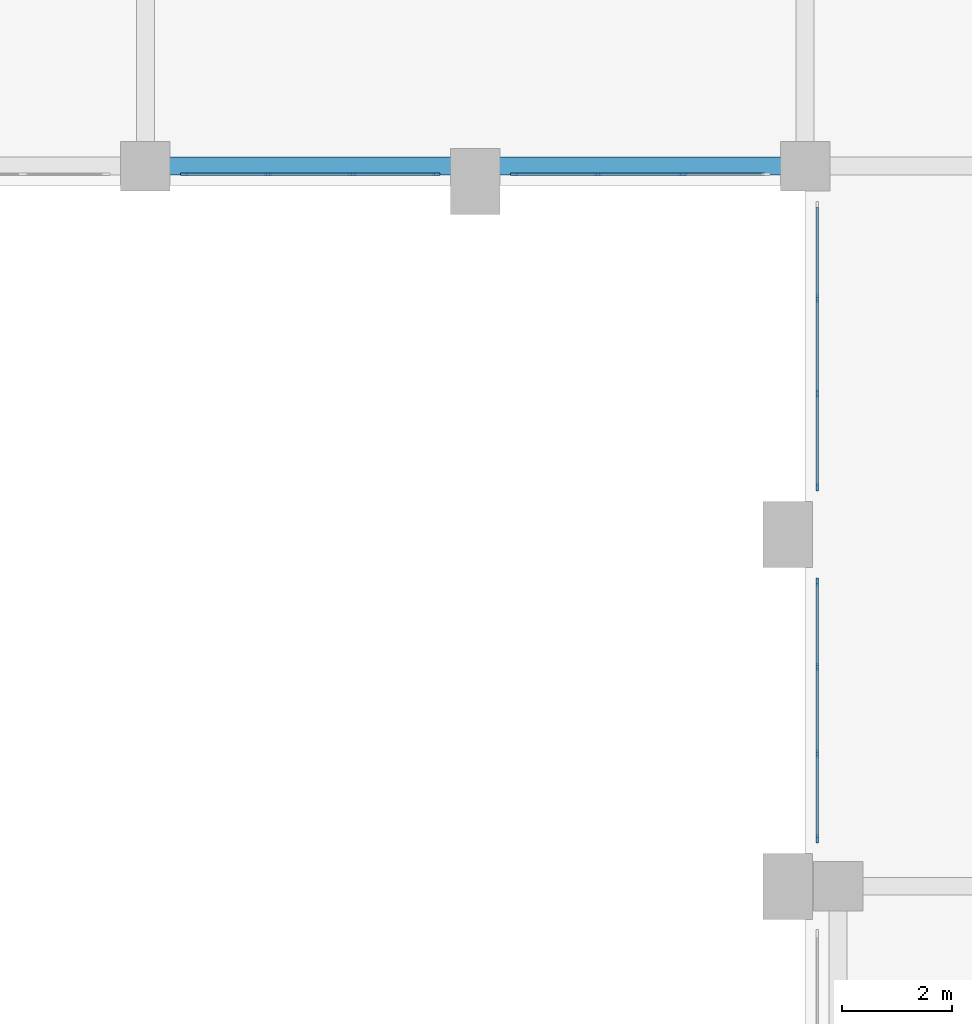
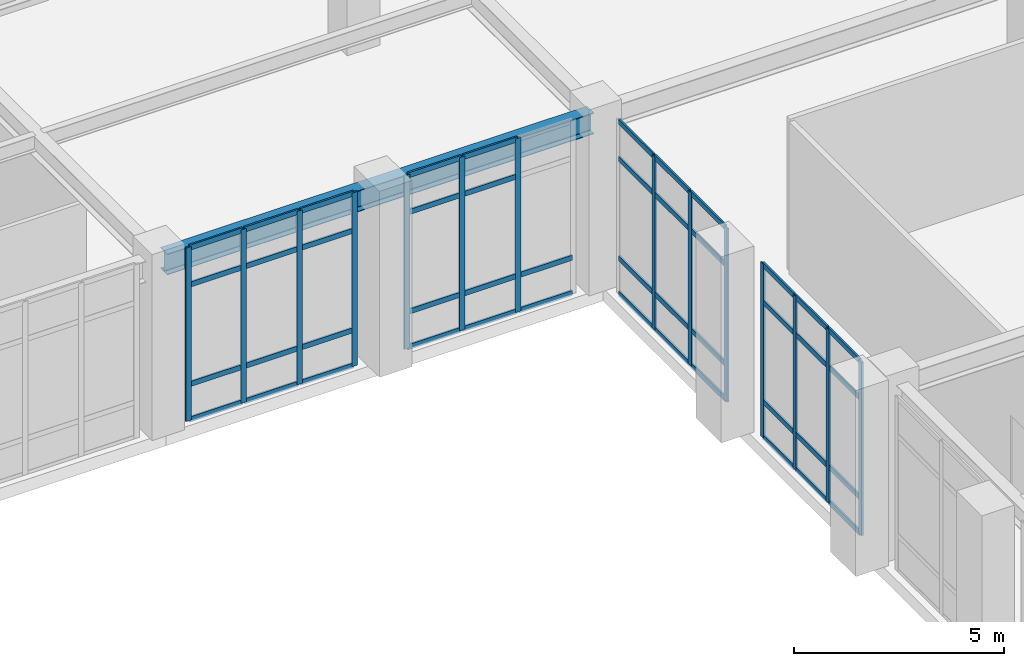
# One storey, part 81 of 159: 60 members, 1 beam, 4 elements without a shape of their own.
"""IFC4 building model written with IfcOpenShell, lengths in metres."""

from ifc_helpers import new_model, si_unit, derived_unit, direction, frame, origin, origin_2d, place, context, subcontext, project, spatial, rectangle, i_section, extrude, material, layer, layer_set, material_profile, profile_set, type_object, element, aggregate, save


model = new_model("IFC4")

# Units and contexts
model_context = context("Model", 3, precision=1e-05, world=origin(), true_north=direction((0.0, 1.0)))
body_context = subcontext(model_context, "Body", "Model", "MODEL_VIEW")
ifc_project = project(units=[si_unit("LENGTHUNIT", "METRE"), si_unit("AREAUNIT", "SQUARE_METRE"), si_unit("VOLUMEUNIT", "CUBIC_METRE"), si_unit("PLANEANGLEUNIT", "RADIAN"), si_unit("MASSUNIT", "GRAM", prefix="KILO"), derived_unit("THERMALTRANSMITTANCEUNIT", [(si_unit("MASSUNIT", "GRAM", prefix="KILO"), 1), (si_unit("TIMEUNIT", "SECOND"), -3), (si_unit("THERMODYNAMICTEMPERATUREUNIT", "KELVIN"), -1)])], contexts=[model_context])

# Site, building, storey
site_placement = place(None, origin())
site = spatial("IfcSite", under=ifc_project, at=site_placement, CompositionType="ELEMENT")
building_placement = place(site_placement, origin())
building = spatial("IfcBuilding", under=site, at=building_placement, Name="Valcora Ridge Arena", CompositionType="ELEMENT")
storey_placement = place(building_placement, frame((0.0, 0.0, 6.0)))
storey = spatial("IfcBuildingStorey", under=building, at=storey_placement, Name="L01", CompositionType="ELEMENT", Elevation=6.0)

# Beam
ifc_material_1 = material(Name="Steel ASTM A572 Grade 50", Category="steel")
ifc_material_profile_1 = material_profile(ifc_material_1, i_section(OverallWidth=0.324951171875, OverallDepth=0.612060546875, WebThickness=0.0126953125, FlangeThickness=0.01904296875, FilletRadius=0.01806640625, at=origin_2d()), Name="W24X104")
ifc_profile_set_1 = profile_set([ifc_material_profile_1], Name="Steel ASTM A572 Grade 50")
beam_type = type_object("IfcBeamType", Name="TY-BEAM-G-W24X104-X", PredefinedType="BEAM", material=ifc_profile_set_1)
beam_placement = place(storey_placement, frame((144.139892578125, 108.699951171875, 4.73388671875), z_axis=(1.0, 0.0, 0.0), x_axis=(0.0, 1.0, 0.0)))
element("IfcBeam", 1, at=beam_placement, inside=storey, type_object=beam_type, Name="G-W24X104-X BEM-G-W24X104-X-0045", PredefinedType="BEAM", context=body_context, shape_type="SweptSolid", body=[
    extrude(i_section(OverallWidth=0.324951171875, OverallDepth=0.612060546875, WebThickness=0.0126953125, FlangeThickness=0.01904296875, FilletRadius=0.01806640625, at=origin_2d()), origin(), (0.0, 0.0, 1.0), 11.72021484375),
])

# Curtain wall, members
ifc_material_2 = material(Name="Anodised dark bronze architectural aluminium 6063-T6", Category="aluminium")
ifc_layer_1 = layer(ifc_material_2, 0.14990234375, Name="Anodised dark bronze architectural aluminium 6063-T6")
ifc_layer_set_1 = layer_set([ifc_layer_1], Name="Anodised dark bronze architectural aluminium 6063-T6")
curtain_wall_type_1 = type_object("IfcCurtainWallType", Name="TY-CURTAINWALL-CW-V5-MED-046X50", PredefinedType="NOTDEFINED", material=ifc_layer_set_1)
curtain_wall_1_placement = place(storey_placement, origin())
curtain_wall_1 = element("IfcCurtainWall", 2, at=curtain_wall_1_placement, inside=storey, type_object=curtain_wall_type_1, Name="CW-V5-MED-046X50 CW-0320", PredefinedType="NOTDEFINED")
ifc_material_profile_2 = material_profile(ifc_material_2, rectangle(XDim=0.050048828125, YDim=0.14990234375, at=origin_2d()), Name="ALU MULLION 50x150")
ifc_profile_set_2 = profile_set([ifc_material_profile_2], Name="Anodised dark bronze architectural aluminium 6063-T6")
member_type_1 = type_object("IfcMemberType", Name="TY-MEM-CWM-50x150", PredefinedType="MULLION", material=ifc_profile_set_2)
member_1_placement = place(storey_placement, frame((144.715087890625, 108.550048828125, 0.0), z_axis=(0.0, 0.0, 1.0), x_axis=(0.0, 1.0, 0.0)))
member_1 = element("IfcMember", 3, at=member_1_placement, type_object=member_type_1, Name="CW-0320/CWM-50x150/M00", PredefinedType="MULLION", context=body_context, shape_type="SweptSolid", body=[
    extrude(rectangle(XDim=0.050048828125, YDim=0.14990234375, at=origin_2d()), origin(), (0.0, 0.0, 1.0), 5.0400390625),
])
member_2_placement = place(storey_placement, frame((146.22998046875, 108.550048828125, 0.0), z_axis=(0.0, 0.0, 1.0), x_axis=(0.0, 1.0, 0.0)))
member_2 = element("IfcMember", 4, at=member_2_placement, type_object=member_type_1, Name="CW-0320/CWM-50x150/M01", PredefinedType="MULLION", context=body_context, shape_type="SweptSolid", body=[
    extrude(rectangle(XDim=0.050048828125, YDim=0.14990234375, at=origin_2d()), origin(), (0.0, 0.0, 1.0), 5.0400390625),
])
member_3_placement = place(storey_placement, frame((147.77001953125, 108.550048828125, 0.0), z_axis=(0.0, 0.0, 1.0), x_axis=(0.0, 1.0, 0.0)))
member_3 = element("IfcMember", 5, at=member_3_placement, type_object=member_type_1, Name="CW-0320/CWM-50x150/M02", PredefinedType="MULLION", context=body_context, shape_type="SweptSolid", body=[
    extrude(rectangle(XDim=0.050048828125, YDim=0.14990234375, at=origin_2d()), origin(), (0.0, 0.0, 1.0), 5.0400390625),
])
member_4_placement = place(storey_placement, frame((149.284912109375, 108.550048828125, 0.0), z_axis=(0.0, 0.0, 1.0), x_axis=(0.0, 1.0, 0.0)))
member_4 = element("IfcMember", 6, at=member_4_placement, type_object=member_type_1, Name="CW-0320/CWM-50x150/M03", PredefinedType="MULLION", context=body_context, shape_type="SweptSolid", body=[
    extrude(rectangle(XDim=0.050048828125, YDim=0.14990234375, at=origin_2d()), origin(), (0.0, 0.0, 1.0), 5.0400390625),
])

curtain_wall_2_placement = place(storey_placement, origin())
curtain_wall_2 = element("IfcCurtainWall", 7, at=curtain_wall_2_placement, inside=storey, type_object=curtain_wall_type_1, Name="CW-V5-MED-046X50 CW-0321", PredefinedType="NOTDEFINED")
member_5_placement = place(storey_placement, frame((150.715087890625, 108.550048828125, 0.0), z_axis=(0.0, 0.0, 1.0), x_axis=(0.0, 1.0, 0.0)))
member_5 = element("IfcMember", 8, at=member_5_placement, type_object=member_type_1, Name="CW-0321/CWM-50x150/M00", PredefinedType="MULLION", context=body_context, shape_type="SweptSolid", body=[
    extrude(rectangle(XDim=0.050048828125, YDim=0.14990234375, at=origin_2d()), origin(), (0.0, 0.0, 1.0), 5.0400390625),
])
member_6_placement = place(storey_placement, frame((152.22998046875, 108.550048828125, 0.0), z_axis=(0.0, 0.0, 1.0), x_axis=(0.0, 1.0, 0.0)))
member_6 = element("IfcMember", 9, at=member_6_placement, type_object=member_type_1, Name="CW-0321/CWM-50x150/M01", PredefinedType="MULLION", context=body_context, shape_type="SweptSolid", body=[
    extrude(rectangle(XDim=0.050048828125, YDim=0.14990234375, at=origin_2d()), origin(), (0.0, 0.0, 1.0), 5.0400390625),
])
member_7_placement = place(storey_placement, frame((153.77001953125, 108.550048828125, 0.0), z_axis=(0.0, 0.0, 1.0), x_axis=(0.0, 1.0, 0.0)))
member_7 = element("IfcMember", 10, at=member_7_placement, type_object=member_type_1, Name="CW-0321/CWM-50x150/M02", PredefinedType="MULLION", context=body_context, shape_type="SweptSolid", body=[
    extrude(rectangle(XDim=0.050048828125, YDim=0.14990234375, at=origin_2d()), origin(), (0.0, 0.0, 1.0), 5.0400390625),
])

ifc_layer_2 = layer(ifc_material_2, 0.14990234375, Name="Anodised dark bronze architectural aluminium 6063-T6")
ifc_layer_set_2 = layer_set([ifc_layer_2], Name="Anodised dark bronze architectural aluminium 6063-T6")
curtain_wall_type_2 = type_object("IfcCurtainWallType", Name="TY-CURTAINWALL-CW-V5-MED-047X50", PredefinedType="NOTDEFINED", material=ifc_layer_set_2)
curtain_wall_3_placement = place(storey_placement, origin())
curtain_wall_3 = element("IfcCurtainWall", 11, at=curtain_wall_3_placement, inside=storey, type_object=curtain_wall_type_2, Name="CW-V5-MED-047X50 CW-0324", PredefinedType="NOTDEFINED")
member_8_placement = place(storey_placement, frame((156.219970703125, 96.465087890625, 0.0), z_axis=(0.0, 0.0, 1.0), x_axis=(-1.0, 0.0, 0.0)))
member_8 = element("IfcMember", 12, at=member_8_placement, type_object=member_type_1, Name="CW-0324/CWM-50x150/M00", PredefinedType="MULLION", context=body_context, shape_type="SweptSolid", body=[
    extrude(rectangle(XDim=0.050048828125, YDim=0.14990234375, at=origin_2d()), origin(), (0.0, 0.0, 1.0), 5.0400390625),
])
member_9_placement = place(storey_placement, frame((156.219970703125, 98.01318359375, 0.0), z_axis=(0.0, 0.0, 1.0), x_axis=(-1.0, 0.0, 0.0)))
member_9 = element("IfcMember", 13, at=member_9_placement, type_object=member_type_1, Name="CW-0324/CWM-50x150/M01", PredefinedType="MULLION", context=body_context, shape_type="SweptSolid", body=[
    extrude(rectangle(XDim=0.050048828125, YDim=0.14990234375, at=origin_2d()), origin(), (0.0, 0.0, 1.0), 5.0400390625),
])
member_10_placement = place(storey_placement, frame((156.219970703125, 99.586669921875, 0.0), z_axis=(0.0, 0.0, 1.0), x_axis=(-1.0, 0.0, 0.0)))
member_10 = element("IfcMember", 14, at=member_10_placement, type_object=member_type_1, Name="CW-0324/CWM-50x150/M02", PredefinedType="MULLION", context=body_context, shape_type="SweptSolid", body=[
    extrude(rectangle(XDim=0.050048828125, YDim=0.14990234375, at=origin_2d()), origin(), (0.0, 0.0, 1.0), 5.0400390625),
])
member_11_placement = place(storey_placement, frame((156.219970703125, 101.135009765625, 0.0), z_axis=(0.0, 0.0, 1.0), x_axis=(-1.0, 0.0, 0.0)))
member_11 = element("IfcMember", 15, at=member_11_placement, type_object=member_type_1, Name="CW-0324/CWM-50x150/M03", PredefinedType="MULLION", context=body_context, shape_type="SweptSolid", body=[
    extrude(rectangle(XDim=0.050048828125, YDim=0.14990234375, at=origin_2d()), origin(), (0.0, 0.0, 1.0), 5.0400390625),
])

ifc_layer_3 = layer(ifc_material_2, 0.14990234375, Name="Anodised dark bronze architectural aluminium 6063-T6")
ifc_layer_set_3 = layer_set([ifc_layer_3], Name="Anodised dark bronze architectural aluminium 6063-T6")
curtain_wall_type_3 = type_object("IfcCurtainWallType", Name="TY-CURTAINWALL-CW-V5-MED-052X50", PredefinedType="NOTDEFINED", material=ifc_layer_set_3)
curtain_wall_4_placement = place(storey_placement, origin())
curtain_wall_4 = element("IfcCurtainWall", 16, at=curtain_wall_4_placement, inside=storey, type_object=curtain_wall_type_3, Name="CW-V5-MED-052X50 CW-0325", PredefinedType="NOTDEFINED")
member_12_placement = place(storey_placement, frame((156.219970703125, 102.864990234375, 0.0), z_axis=(0.0, 0.0, 1.0), x_axis=(-1.0, 0.0, 0.0)))
member_12 = element("IfcMember", 17, at=member_12_placement, type_object=member_type_1, Name="CW-0325/CWM-50x150/M00", PredefinedType="MULLION", context=body_context, shape_type="SweptSolid", body=[
    extrude(rectangle(XDim=0.050048828125, YDim=0.14990234375, at=origin_2d()), origin(), (0.0, 0.0, 1.0), 5.0400390625),
])
member_13_placement = place(storey_placement, frame((156.219970703125, 104.563232421875, 0.0), z_axis=(0.0, 0.0, 1.0), x_axis=(-1.0, 0.0, 0.0)))
member_13 = element("IfcMember", 18, at=member_13_placement, type_object=member_type_1, Name="CW-0325/CWM-50x150/M01", PredefinedType="MULLION", context=body_context, shape_type="SweptSolid", body=[
    extrude(rectangle(XDim=0.050048828125, YDim=0.14990234375, at=origin_2d()), origin(), (0.0, 0.0, 1.0), 5.0400390625),
])
member_14_placement = place(storey_placement, frame((156.219970703125, 106.28662109375, 0.0), z_axis=(0.0, 0.0, 1.0), x_axis=(-1.0, 0.0, 0.0)))
member_14 = element("IfcMember", 19, at=member_14_placement, type_object=member_type_1, Name="CW-0325/CWM-50x150/M02", PredefinedType="MULLION", context=body_context, shape_type="SweptSolid", body=[
    extrude(rectangle(XDim=0.050048828125, YDim=0.14990234375, at=origin_2d()), origin(), (0.0, 0.0, 1.0), 5.0400390625),
])

# Member
ifc_material_profile_3 = material_profile(ifc_material_2, rectangle(XDim=0.050048828125, YDim=0.14990234375, at=origin_2d()), Name="ALU TRANSOM 50x150")
ifc_profile_set_3 = profile_set([ifc_material_profile_3], Name="Anodised dark bronze architectural aluminium 6063-T6")
member_type_2 = type_object("IfcMemberType", Name="TY-MEM-CWT-50x150", PredefinedType="USERDEFINED", material=ifc_profile_set_3)
member_15_placement = place(storey_placement, frame((144.739990234375, 108.550048828125, 0.02490234375), z_axis=(1.0, 0.0, 0.0), x_axis=(0.0, 1.0, 0.0)))
member_15 = element("IfcMember", 20, at=member_15_placement, type_object=member_type_2, Name="CW-0320/CWT-50x150/T00-00", ObjectType="TRANSOM", PredefinedType="USERDEFINED", context=body_context, shape_type="SweptSolid", body=[
    extrude(rectangle(XDim=0.050048828125, YDim=0.14990234375, at=origin_2d()), origin(), (0.0, 0.0, 1.0), 1.465087890625),
])

member_16_placement = place(storey_placement, frame((144.739990234375, 108.550048828125, 1.050048828125), z_axis=(1.0, 0.0, 0.0), x_axis=(0.0, 1.0, 0.0)))
member_16 = element("IfcMember", 21, at=member_16_placement, type_object=member_type_2, Name="CW-0320/CWT-50x150/T00-01", ObjectType="TRANSOM", PredefinedType="USERDEFINED", context=body_context, shape_type="SweptSolid", body=[
    extrude(rectangle(XDim=0.050048828125, YDim=0.14990234375, at=origin_2d()), origin(), (0.0, 0.0, 1.0), 1.465087890625),
])

member_17_placement = place(storey_placement, frame((144.739990234375, 108.550048828125, 3.93994140625), z_axis=(1.0, 0.0, 0.0), x_axis=(0.0, 1.0, 0.0)))
member_17 = element("IfcMember", 22, at=member_17_placement, type_object=member_type_2, Name="CW-0320/CWT-50x150/T00-02", ObjectType="TRANSOM", PredefinedType="USERDEFINED", context=body_context, shape_type="SweptSolid", body=[
    extrude(rectangle(XDim=0.050048828125, YDim=0.14990234375, at=origin_2d()), origin(), (0.0, 0.0, 1.0), 1.465087890625),
])

member_18_placement = place(storey_placement, frame((144.739990234375, 108.550048828125, 5.014892578125), z_axis=(1.0, 0.0, 0.0), x_axis=(0.0, 1.0, 0.0)))
member_18 = element("IfcMember", 23, at=member_18_placement, type_object=member_type_2, Name="CW-0320/CWT-50x150/T00-03", ObjectType="TRANSOM", PredefinedType="USERDEFINED", context=body_context, shape_type="SweptSolid", body=[
    extrude(rectangle(XDim=0.050048828125, YDim=0.14990234375, at=origin_2d()), origin(), (0.0, 0.0, 1.0), 1.465087890625),
])

member_19_placement = place(storey_placement, frame((146.2548828125, 108.550048828125, 0.02490234375), z_axis=(1.0, 0.0, 0.0), x_axis=(0.0, 1.0, 0.0)))
member_19 = element("IfcMember", 24, at=member_19_placement, type_object=member_type_2, Name="CW-0320/CWT-50x150/T01-00", ObjectType="TRANSOM", PredefinedType="USERDEFINED", context=body_context, shape_type="SweptSolid", body=[
    extrude(rectangle(XDim=0.050048828125, YDim=0.14990234375, at=origin_2d()), origin(), (0.0, 0.0, 1.0), 1.490234375),
])

member_20_placement = place(storey_placement, frame((146.2548828125, 108.550048828125, 1.050048828125), z_axis=(1.0, 0.0, 0.0), x_axis=(0.0, 1.0, 0.0)))
member_20 = element("IfcMember", 25, at=member_20_placement, type_object=member_type_2, Name="CW-0320/CWT-50x150/T01-01", ObjectType="TRANSOM", PredefinedType="USERDEFINED", context=body_context, shape_type="SweptSolid", body=[
    extrude(rectangle(XDim=0.050048828125, YDim=0.14990234375, at=origin_2d()), origin(), (0.0, 0.0, 1.0), 1.490234375),
])

member_21_placement = place(storey_placement, frame((146.2548828125, 108.550048828125, 3.93994140625), z_axis=(1.0, 0.0, 0.0), x_axis=(0.0, 1.0, 0.0)))
member_21 = element("IfcMember", 26, at=member_21_placement, type_object=member_type_2, Name="CW-0320/CWT-50x150/T01-02", ObjectType="TRANSOM", PredefinedType="USERDEFINED", context=body_context, shape_type="SweptSolid", body=[
    extrude(rectangle(XDim=0.050048828125, YDim=0.14990234375, at=origin_2d()), origin(), (0.0, 0.0, 1.0), 1.490234375),
])

member_22_placement = place(storey_placement, frame((146.2548828125, 108.550048828125, 5.014892578125), z_axis=(1.0, 0.0, 0.0), x_axis=(0.0, 1.0, 0.0)))
member_22 = element("IfcMember", 27, at=member_22_placement, type_object=member_type_2, Name="CW-0320/CWT-50x150/T01-03", ObjectType="TRANSOM", PredefinedType="USERDEFINED", context=body_context, shape_type="SweptSolid", body=[
    extrude(rectangle(XDim=0.050048828125, YDim=0.14990234375, at=origin_2d()), origin(), (0.0, 0.0, 1.0), 1.490234375),
])

member_23_placement = place(storey_placement, frame((147.794921875, 108.550048828125, 0.02490234375), z_axis=(1.0, 0.0, 0.0), x_axis=(0.0, 1.0, 0.0)))
member_23 = element("IfcMember", 28, at=member_23_placement, type_object=member_type_2, Name="CW-0320/CWT-50x150/T02-00", ObjectType="TRANSOM", PredefinedType="USERDEFINED", context=body_context, shape_type="SweptSolid", body=[
    extrude(rectangle(XDim=0.050048828125, YDim=0.14990234375, at=origin_2d()), origin(), (0.0, 0.0, 1.0), 1.465087890625),
])

member_24_placement = place(storey_placement, frame((147.794921875, 108.550048828125, 1.050048828125), z_axis=(1.0, 0.0, 0.0), x_axis=(0.0, 1.0, 0.0)))
member_24 = element("IfcMember", 29, at=member_24_placement, type_object=member_type_2, Name="CW-0320/CWT-50x150/T02-01", ObjectType="TRANSOM", PredefinedType="USERDEFINED", context=body_context, shape_type="SweptSolid", body=[
    extrude(rectangle(XDim=0.050048828125, YDim=0.14990234375, at=origin_2d()), origin(), (0.0, 0.0, 1.0), 1.465087890625),
])

member_25_placement = place(storey_placement, frame((147.794921875, 108.550048828125, 3.93994140625), z_axis=(1.0, 0.0, 0.0), x_axis=(0.0, 1.0, 0.0)))
member_25 = element("IfcMember", 30, at=member_25_placement, type_object=member_type_2, Name="CW-0320/CWT-50x150/T02-02", ObjectType="TRANSOM", PredefinedType="USERDEFINED", context=body_context, shape_type="SweptSolid", body=[
    extrude(rectangle(XDim=0.050048828125, YDim=0.14990234375, at=origin_2d()), origin(), (0.0, 0.0, 1.0), 1.465087890625),
])

member_26_placement = place(storey_placement, frame((147.794921875, 108.550048828125, 5.014892578125), z_axis=(1.0, 0.0, 0.0), x_axis=(0.0, 1.0, 0.0)))
member_26 = element("IfcMember", 31, at=member_26_placement, type_object=member_type_2, Name="CW-0320/CWT-50x150/T02-03", ObjectType="TRANSOM", PredefinedType="USERDEFINED", context=body_context, shape_type="SweptSolid", body=[
    extrude(rectangle(XDim=0.050048828125, YDim=0.14990234375, at=origin_2d()), origin(), (0.0, 0.0, 1.0), 1.465087890625),
])

aggregate(curtain_wall_1, [member_1, member_2, member_3, member_4, member_15, member_16, member_17, member_18, member_19, member_20, member_21, member_22, member_23, member_24, member_25, member_26])

member_27_placement = place(storey_placement, frame((150.739990234375, 108.550048828125, 0.02490234375), z_axis=(1.0, 0.0, 0.0), x_axis=(0.0, 1.0, 0.0)))
member_27 = element("IfcMember", 32, at=member_27_placement, type_object=member_type_2, Name="CW-0321/CWT-50x150/T00-00", ObjectType="TRANSOM", PredefinedType="USERDEFINED", context=body_context, shape_type="SweptSolid", body=[
    extrude(rectangle(XDim=0.050048828125, YDim=0.14990234375, at=origin_2d()), origin(), (0.0, 0.0, 1.0), 1.465087890625),
])

member_28_placement = place(storey_placement, frame((150.739990234375, 108.550048828125, 1.050048828125), z_axis=(1.0, 0.0, 0.0), x_axis=(0.0, 1.0, 0.0)))
member_28 = element("IfcMember", 33, at=member_28_placement, type_object=member_type_2, Name="CW-0321/CWT-50x150/T00-01", ObjectType="TRANSOM", PredefinedType="USERDEFINED", context=body_context, shape_type="SweptSolid", body=[
    extrude(rectangle(XDim=0.050048828125, YDim=0.14990234375, at=origin_2d()), origin(), (0.0, 0.0, 1.0), 1.465087890625),
])

member_29_placement = place(storey_placement, frame((150.739990234375, 108.550048828125, 3.93994140625), z_axis=(1.0, 0.0, 0.0), x_axis=(0.0, 1.0, 0.0)))
member_29 = element("IfcMember", 34, at=member_29_placement, type_object=member_type_2, Name="CW-0321/CWT-50x150/T00-02", ObjectType="TRANSOM", PredefinedType="USERDEFINED", context=body_context, shape_type="SweptSolid", body=[
    extrude(rectangle(XDim=0.050048828125, YDim=0.14990234375, at=origin_2d()), origin(), (0.0, 0.0, 1.0), 1.465087890625),
])

member_30_placement = place(storey_placement, frame((150.739990234375, 108.550048828125, 5.014892578125), z_axis=(1.0, 0.0, 0.0), x_axis=(0.0, 1.0, 0.0)))
member_30 = element("IfcMember", 35, at=member_30_placement, type_object=member_type_2, Name="CW-0321/CWT-50x150/T00-03", ObjectType="TRANSOM", PredefinedType="USERDEFINED", context=body_context, shape_type="SweptSolid", body=[
    extrude(rectangle(XDim=0.050048828125, YDim=0.14990234375, at=origin_2d()), origin(), (0.0, 0.0, 1.0), 1.465087890625),
])

member_31_placement = place(storey_placement, frame((152.2548828125, 108.550048828125, 0.02490234375), z_axis=(1.0, 0.0, 0.0), x_axis=(0.0, 1.0, 0.0)))
member_31 = element("IfcMember", 36, at=member_31_placement, type_object=member_type_2, Name="CW-0321/CWT-50x150/T01-00", ObjectType="TRANSOM", PredefinedType="USERDEFINED", context=body_context, shape_type="SweptSolid", body=[
    extrude(rectangle(XDim=0.050048828125, YDim=0.14990234375, at=origin_2d()), origin(), (0.0, 0.0, 1.0), 1.490234375),
])

member_32_placement = place(storey_placement, frame((152.2548828125, 108.550048828125, 1.050048828125), z_axis=(1.0, 0.0, 0.0), x_axis=(0.0, 1.0, 0.0)))
member_32 = element("IfcMember", 37, at=member_32_placement, type_object=member_type_2, Name="CW-0321/CWT-50x150/T01-01", ObjectType="TRANSOM", PredefinedType="USERDEFINED", context=body_context, shape_type="SweptSolid", body=[
    extrude(rectangle(XDim=0.050048828125, YDim=0.14990234375, at=origin_2d()), origin(), (0.0, 0.0, 1.0), 1.490234375),
])

member_33_placement = place(storey_placement, frame((152.2548828125, 108.550048828125, 3.93994140625), z_axis=(1.0, 0.0, 0.0), x_axis=(0.0, 1.0, 0.0)))
member_33 = element("IfcMember", 38, at=member_33_placement, type_object=member_type_2, Name="CW-0321/CWT-50x150/T01-02", ObjectType="TRANSOM", PredefinedType="USERDEFINED", context=body_context, shape_type="SweptSolid", body=[
    extrude(rectangle(XDim=0.050048828125, YDim=0.14990234375, at=origin_2d()), origin(), (0.0, 0.0, 1.0), 1.490234375),
])

member_34_placement = place(storey_placement, frame((152.2548828125, 108.550048828125, 5.014892578125), z_axis=(1.0, 0.0, 0.0), x_axis=(0.0, 1.0, 0.0)))
member_34 = element("IfcMember", 39, at=member_34_placement, type_object=member_type_2, Name="CW-0321/CWT-50x150/T01-03", ObjectType="TRANSOM", PredefinedType="USERDEFINED", context=body_context, shape_type="SweptSolid", body=[
    extrude(rectangle(XDim=0.050048828125, YDim=0.14990234375, at=origin_2d()), origin(), (0.0, 0.0, 1.0), 1.490234375),
])

member_35_placement = place(storey_placement, frame((153.794921875, 108.550048828125, 0.02490234375), z_axis=(1.0, 0.0, 0.0), x_axis=(0.0, 1.0, 0.0)))
member_35 = element("IfcMember", 40, at=member_35_placement, type_object=member_type_2, Name="CW-0321/CWT-50x150/T02-00", ObjectType="TRANSOM", PredefinedType="USERDEFINED", context=body_context, shape_type="SweptSolid", body=[
    extrude(rectangle(XDim=0.050048828125, YDim=0.14990234375, at=origin_2d()), origin(), (0.0, 0.0, 1.0), 1.465087890625),
])

member_36_placement = place(storey_placement, frame((153.794921875, 108.550048828125, 1.050048828125), z_axis=(1.0, 0.0, 0.0), x_axis=(0.0, 1.0, 0.0)))
member_36 = element("IfcMember", 41, at=member_36_placement, type_object=member_type_2, Name="CW-0321/CWT-50x150/T02-01", ObjectType="TRANSOM", PredefinedType="USERDEFINED", context=body_context, shape_type="SweptSolid", body=[
    extrude(rectangle(XDim=0.050048828125, YDim=0.14990234375, at=origin_2d()), origin(), (0.0, 0.0, 1.0), 1.465087890625),
])

aggregate(curtain_wall_2, [member_5, member_6, member_7, member_27, member_28, member_29, member_30, member_31, member_32, member_33, member_34, member_35, member_36])

member_37_placement = place(storey_placement, frame((156.219970703125, 96.489990234375, 0.02490234375), z_axis=(0.0, 1.0, 0.0), x_axis=(-1.0, 0.0, 0.0)))
member_37 = element("IfcMember", 42, at=member_37_placement, type_object=member_type_2, Name="CW-0324/CWT-50x150/T00-00", ObjectType="TRANSOM", PredefinedType="USERDEFINED", context=body_context, shape_type="SweptSolid", body=[
    extrude(rectangle(XDim=0.050048828125, YDim=0.14990234375, at=origin_2d()), origin(), (0.0, 0.0, 1.0), 1.498046875),
])

member_38_placement = place(storey_placement, frame((156.219970703125, 96.489990234375, 1.050048828125), z_axis=(0.0, 1.0, 0.0), x_axis=(-1.0, 0.0, 0.0)))
member_38 = element("IfcMember", 43, at=member_38_placement, type_object=member_type_2, Name="CW-0324/CWT-50x150/T00-01", ObjectType="TRANSOM", PredefinedType="USERDEFINED", context=body_context, shape_type="SweptSolid", body=[
    extrude(rectangle(XDim=0.050048828125, YDim=0.14990234375, at=origin_2d()), origin(), (0.0, 0.0, 1.0), 1.498046875),
])

member_39_placement = place(storey_placement, frame((156.219970703125, 96.489990234375, 3.93994140625), z_axis=(0.0, 1.0, 0.0), x_axis=(-1.0, 0.0, 0.0)))
member_39 = element("IfcMember", 44, at=member_39_placement, type_object=member_type_2, Name="CW-0324/CWT-50x150/T00-02", ObjectType="TRANSOM", PredefinedType="USERDEFINED", context=body_context, shape_type="SweptSolid", body=[
    extrude(rectangle(XDim=0.050048828125, YDim=0.14990234375, at=origin_2d()), origin(), (0.0, 0.0, 1.0), 1.498046875),
])

member_40_placement = place(storey_placement, frame((156.219970703125, 96.489990234375, 5.014892578125), z_axis=(0.0, 1.0, 0.0), x_axis=(-1.0, 0.0, 0.0)))
member_40 = element("IfcMember", 45, at=member_40_placement, type_object=member_type_2, Name="CW-0324/CWT-50x150/T00-03", ObjectType="TRANSOM", PredefinedType="USERDEFINED", context=body_context, shape_type="SweptSolid", body=[
    extrude(rectangle(XDim=0.050048828125, YDim=0.14990234375, at=origin_2d()), origin(), (0.0, 0.0, 1.0), 1.498046875),
])

member_41_placement = place(storey_placement, frame((156.219970703125, 98.0380859375, 0.02490234375), z_axis=(0.0, 1.0, 0.0), x_axis=(-1.0, 0.0, 0.0)))
member_41 = element("IfcMember", 46, at=member_41_placement, type_object=member_type_2, Name="CW-0324/CWT-50x150/T01-00", ObjectType="TRANSOM", PredefinedType="USERDEFINED", context=body_context, shape_type="SweptSolid", body=[
    extrude(rectangle(XDim=0.050048828125, YDim=0.14990234375, at=origin_2d()), origin(), (0.0, 0.0, 1.0), 1.52392578125),
])

member_42_placement = place(storey_placement, frame((156.219970703125, 98.0380859375, 1.050048828125), z_axis=(0.0, 1.0, 0.0), x_axis=(-1.0, 0.0, 0.0)))
member_42 = element("IfcMember", 47, at=member_42_placement, type_object=member_type_2, Name="CW-0324/CWT-50x150/T01-01", ObjectType="TRANSOM", PredefinedType="USERDEFINED", context=body_context, shape_type="SweptSolid", body=[
    extrude(rectangle(XDim=0.050048828125, YDim=0.14990234375, at=origin_2d()), origin(), (0.0, 0.0, 1.0), 1.52392578125),
])

member_43_placement = place(storey_placement, frame((156.219970703125, 98.0380859375, 3.93994140625), z_axis=(0.0, 1.0, 0.0), x_axis=(-1.0, 0.0, 0.0)))
member_43 = element("IfcMember", 48, at=member_43_placement, type_object=member_type_2, Name="CW-0324/CWT-50x150/T01-02", ObjectType="TRANSOM", PredefinedType="USERDEFINED", context=body_context, shape_type="SweptSolid", body=[
    extrude(rectangle(XDim=0.050048828125, YDim=0.14990234375, at=origin_2d()), origin(), (0.0, 0.0, 1.0), 1.52392578125),
])

member_44_placement = place(storey_placement, frame((156.219970703125, 98.0380859375, 5.014892578125), z_axis=(0.0, 1.0, 0.0), x_axis=(-1.0, 0.0, 0.0)))
member_44 = element("IfcMember", 49, at=member_44_placement, type_object=member_type_2, Name="CW-0324/CWT-50x150/T01-03", ObjectType="TRANSOM", PredefinedType="USERDEFINED", context=body_context, shape_type="SweptSolid", body=[
    extrude(rectangle(XDim=0.050048828125, YDim=0.14990234375, at=origin_2d()), origin(), (0.0, 0.0, 1.0), 1.52392578125),
])

member_45_placement = place(storey_placement, frame((156.219970703125, 99.612060546875, 0.02490234375), z_axis=(0.0, 1.0, 0.0), x_axis=(-1.0, 0.0, 0.0)))
member_45 = element("IfcMember", 50, at=member_45_placement, type_object=member_type_2, Name="CW-0324/CWT-50x150/T02-00", ObjectType="TRANSOM", PredefinedType="USERDEFINED", context=body_context, shape_type="SweptSolid", body=[
    extrude(rectangle(XDim=0.050048828125, YDim=0.14990234375, at=origin_2d()), origin(), (0.0, 0.0, 1.0), 1.498046875),
])

member_46_placement = place(storey_placement, frame((156.219970703125, 99.612060546875, 1.050048828125), z_axis=(0.0, 1.0, 0.0), x_axis=(-1.0, 0.0, 0.0)))
member_46 = element("IfcMember", 51, at=member_46_placement, type_object=member_type_2, Name="CW-0324/CWT-50x150/T02-01", ObjectType="TRANSOM", PredefinedType="USERDEFINED", context=body_context, shape_type="SweptSolid", body=[
    extrude(rectangle(XDim=0.050048828125, YDim=0.14990234375, at=origin_2d()), origin(), (0.0, 0.0, 1.0), 1.498046875),
])

member_47_placement = place(storey_placement, frame((156.219970703125, 99.612060546875, 3.93994140625), z_axis=(0.0, 1.0, 0.0), x_axis=(-1.0, 0.0, 0.0)))
member_47 = element("IfcMember", 52, at=member_47_placement, type_object=member_type_2, Name="CW-0324/CWT-50x150/T02-02", ObjectType="TRANSOM", PredefinedType="USERDEFINED", context=body_context, shape_type="SweptSolid", body=[
    extrude(rectangle(XDim=0.050048828125, YDim=0.14990234375, at=origin_2d()), origin(), (0.0, 0.0, 1.0), 1.498046875),
])

member_48_placement = place(storey_placement, frame((156.219970703125, 99.612060546875, 5.014892578125), z_axis=(0.0, 1.0, 0.0), x_axis=(-1.0, 0.0, 0.0)))
member_48 = element("IfcMember", 53, at=member_48_placement, type_object=member_type_2, Name="CW-0324/CWT-50x150/T02-03", ObjectType="TRANSOM", PredefinedType="USERDEFINED", context=body_context, shape_type="SweptSolid", body=[
    extrude(rectangle(XDim=0.050048828125, YDim=0.14990234375, at=origin_2d()), origin(), (0.0, 0.0, 1.0), 1.498046875),
])

aggregate(curtain_wall_3, [member_8, member_9, member_10, member_11, member_37, member_38, member_39, member_40, member_41, member_42, member_43, member_44, member_45, member_46, member_47, member_48])

member_49_placement = place(storey_placement, frame((156.219970703125, 102.889892578125, 0.02490234375), z_axis=(0.0, 1.0, 0.0), x_axis=(-1.0, 0.0, 0.0)))
member_49 = element("IfcMember", 54, at=member_49_placement, type_object=member_type_2, Name="CW-0325/CWT-50x150/T00-00", ObjectType="TRANSOM", PredefinedType="USERDEFINED", context=body_context, shape_type="SweptSolid", body=[
    extrude(rectangle(XDim=0.050048828125, YDim=0.14990234375, at=origin_2d()), origin(), (0.0, 0.0, 1.0), 1.648193359375),
])

member_50_placement = place(storey_placement, frame((156.219970703125, 102.889892578125, 1.050048828125), z_axis=(0.0, 1.0, 0.0), x_axis=(-1.0, 0.0, 0.0)))
member_50 = element("IfcMember", 55, at=member_50_placement, type_object=member_type_2, Name="CW-0325/CWT-50x150/T00-01", ObjectType="TRANSOM", PredefinedType="USERDEFINED", context=body_context, shape_type="SweptSolid", body=[
    extrude(rectangle(XDim=0.050048828125, YDim=0.14990234375, at=origin_2d()), origin(), (0.0, 0.0, 1.0), 1.648193359375),
])

member_51_placement = place(storey_placement, frame((156.219970703125, 102.889892578125, 3.93994140625), z_axis=(0.0, 1.0, 0.0), x_axis=(-1.0, 0.0, 0.0)))
member_51 = element("IfcMember", 56, at=member_51_placement, type_object=member_type_2, Name="CW-0325/CWT-50x150/T00-02", ObjectType="TRANSOM", PredefinedType="USERDEFINED", context=body_context, shape_type="SweptSolid", body=[
    extrude(rectangle(XDim=0.050048828125, YDim=0.14990234375, at=origin_2d()), origin(), (0.0, 0.0, 1.0), 1.648193359375),
])

member_52_placement = place(storey_placement, frame((156.219970703125, 102.889892578125, 5.014892578125), z_axis=(0.0, 1.0, 0.0), x_axis=(-1.0, 0.0, 0.0)))
member_52 = element("IfcMember", 57, at=member_52_placement, type_object=member_type_2, Name="CW-0325/CWT-50x150/T00-03", ObjectType="TRANSOM", PredefinedType="USERDEFINED", context=body_context, shape_type="SweptSolid", body=[
    extrude(rectangle(XDim=0.050048828125, YDim=0.14990234375, at=origin_2d()), origin(), (0.0, 0.0, 1.0), 1.648193359375),
])

member_53_placement = place(storey_placement, frame((156.219970703125, 104.587890625, 0.02490234375), z_axis=(0.0, 1.0, 0.0), x_axis=(-1.0, 0.0, 0.0)))
member_53 = element("IfcMember", 58, at=member_53_placement, type_object=member_type_2, Name="CW-0325/CWT-50x150/T01-00", ObjectType="TRANSOM", PredefinedType="USERDEFINED", context=body_context, shape_type="SweptSolid", body=[
    extrude(rectangle(XDim=0.050048828125, YDim=0.14990234375, at=origin_2d()), origin(), (0.0, 0.0, 1.0), 1.674072265625),
])

member_54_placement = place(storey_placement, frame((156.219970703125, 104.587890625, 1.050048828125), z_axis=(0.0, 1.0, 0.0), x_axis=(-1.0, 0.0, 0.0)))
member_54 = element("IfcMember", 59, at=member_54_placement, type_object=member_type_2, Name="CW-0325/CWT-50x150/T01-01", ObjectType="TRANSOM", PredefinedType="USERDEFINED", context=body_context, shape_type="SweptSolid", body=[
    extrude(rectangle(XDim=0.050048828125, YDim=0.14990234375, at=origin_2d()), origin(), (0.0, 0.0, 1.0), 1.674072265625),
])

member_55_placement = place(storey_placement, frame((156.219970703125, 104.587890625, 3.93994140625), z_axis=(0.0, 1.0, 0.0), x_axis=(-1.0, 0.0, 0.0)))
member_55 = element("IfcMember", 60, at=member_55_placement, type_object=member_type_2, Name="CW-0325/CWT-50x150/T01-02", ObjectType="TRANSOM", PredefinedType="USERDEFINED", context=body_context, shape_type="SweptSolid", body=[
    extrude(rectangle(XDim=0.050048828125, YDim=0.14990234375, at=origin_2d()), origin(), (0.0, 0.0, 1.0), 1.674072265625),
])

member_56_placement = place(storey_placement, frame((156.219970703125, 104.587890625, 5.014892578125), z_axis=(0.0, 1.0, 0.0), x_axis=(-1.0, 0.0, 0.0)))
member_56 = element("IfcMember", 61, at=member_56_placement, type_object=member_type_2, Name="CW-0325/CWT-50x150/T01-03", ObjectType="TRANSOM", PredefinedType="USERDEFINED", context=body_context, shape_type="SweptSolid", body=[
    extrude(rectangle(XDim=0.050048828125, YDim=0.14990234375, at=origin_2d()), origin(), (0.0, 0.0, 1.0), 1.674072265625),
])

member_57_placement = place(storey_placement, frame((156.219970703125, 106.31201171875, 0.02490234375), z_axis=(0.0, 1.0, 0.0), x_axis=(-1.0, 0.0, 0.0)))
member_57 = element("IfcMember", 62, at=member_57_placement, type_object=member_type_2, Name="CW-0325/CWT-50x150/T02-00", ObjectType="TRANSOM", PredefinedType="USERDEFINED", context=body_context, shape_type="SweptSolid", body=[
    extrude(rectangle(XDim=0.050048828125, YDim=0.14990234375, at=origin_2d()), origin(), (0.0, 0.0, 1.0), 1.64794921875),
])

member_58_placement = place(storey_placement, frame((156.219970703125, 106.31201171875, 1.050048828125), z_axis=(0.0, 1.0, 0.0), x_axis=(-1.0, 0.0, 0.0)))
member_58 = element("IfcMember", 63, at=member_58_placement, type_object=member_type_2, Name="CW-0325/CWT-50x150/T02-01", ObjectType="TRANSOM", PredefinedType="USERDEFINED", context=body_context, shape_type="SweptSolid", body=[
    extrude(rectangle(XDim=0.050048828125, YDim=0.14990234375, at=origin_2d()), origin(), (0.0, 0.0, 1.0), 1.64794921875),
])

member_59_placement = place(storey_placement, frame((156.219970703125, 106.31201171875, 3.93994140625), z_axis=(0.0, 1.0, 0.0), x_axis=(-1.0, 0.0, 0.0)))
member_59 = element("IfcMember", 64, at=member_59_placement, type_object=member_type_2, Name="CW-0325/CWT-50x150/T02-02", ObjectType="TRANSOM", PredefinedType="USERDEFINED", context=body_context, shape_type="SweptSolid", body=[
    extrude(rectangle(XDim=0.050048828125, YDim=0.14990234375, at=origin_2d()), origin(), (0.0, 0.0, 1.0), 1.64794921875),
])

member_60_placement = place(storey_placement, frame((156.219970703125, 106.31201171875, 5.014892578125), z_axis=(0.0, 1.0, 0.0), x_axis=(-1.0, 0.0, 0.0)))
member_60 = element("IfcMember", 65, at=member_60_placement, type_object=member_type_2, Name="CW-0325/CWT-50x150/T02-03", ObjectType="TRANSOM", PredefinedType="USERDEFINED", context=body_context, shape_type="SweptSolid", body=[
    extrude(rectangle(XDim=0.050048828125, YDim=0.14990234375, at=origin_2d()), origin(), (0.0, 0.0, 1.0), 1.64794921875),
])

aggregate(curtain_wall_4, [member_12, member_13, member_14, member_49, member_50, member_51, member_52, member_53, member_54, member_55, member_56, member_57, member_58, member_59, member_60])

save(model, "model.ifc")
